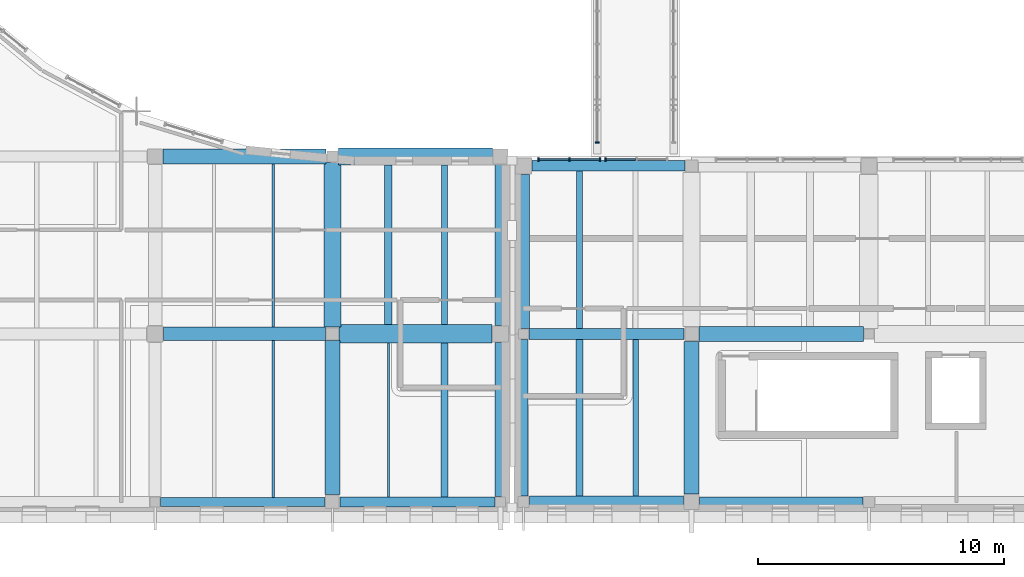
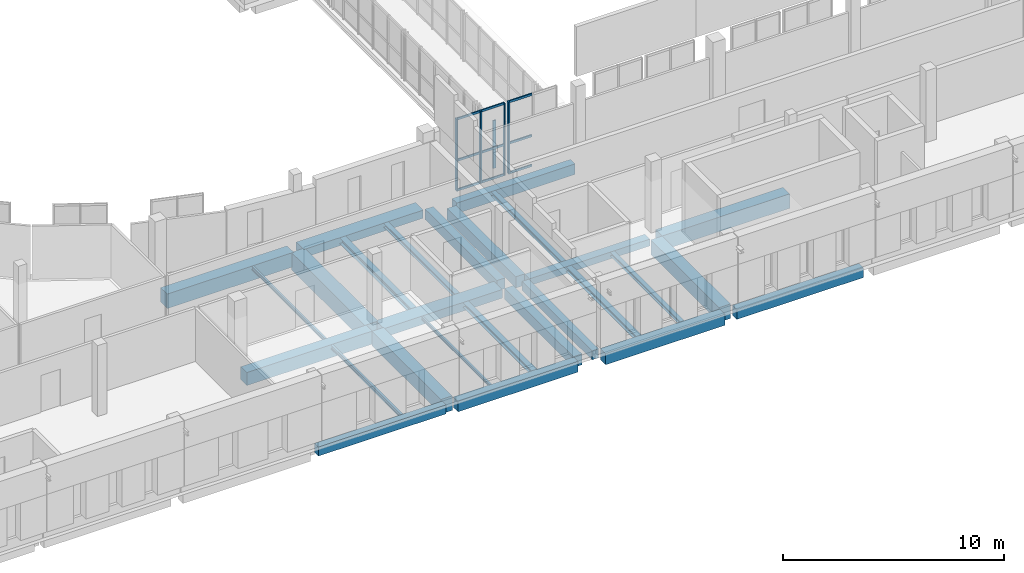
# One storey, part 10 of 76: 27 beams, 14 members, 3 elements without a shape of their own.
"""IFC4 building model written with IfcOpenShell, lengths in metres."""

from ifc_helpers import new_model, si_unit, direction, frame, origin, origin_2d, place, context, subcontext, project, spatial, rectangle, i_section, extrude, material, layer, layer_set, material_profile, profile_set, type_object, element, aggregate, save


model = new_model("IFC4")

# Units and contexts
model_context = context("Model", 3, precision=1e-05, world=origin(), true_north=direction((0.0, 1.0)))
body_context = subcontext(model_context, "Body", "Model", "MODEL_VIEW")
ifc_project = project(units=[si_unit("LENGTHUNIT", "METRE"), si_unit("AREAUNIT", "SQUARE_METRE"), si_unit("VOLUMEUNIT", "CUBIC_METRE"), si_unit("PLANEANGLEUNIT", "RADIAN"), si_unit("MASSUNIT", "GRAM", prefix="KILO")], contexts=[model_context])

# Site, building, storey
site_placement = place(None, origin())
site = spatial("IfcSite", under=ifc_project, at=site_placement, CompositionType="ELEMENT")
building_placement = place(site_placement, origin())
building = spatial("IfcBuilding", under=site, at=building_placement, Name="Vardoun Plaza Health Centre", CompositionType="ELEMENT")
storey_placement = place(building_placement, frame((0.0, 0.0, 4.5)))
storey = spatial("IfcBuildingStorey", under=building, at=storey_placement, Name="L01", CompositionType="ELEMENT", Elevation=4.5)

# Beams
ifc_material_1 = material(Name="Concrete C35/45", Category="concrete")
ifc_material_profile_1 = material_profile(ifc_material_1, rectangle(XDim=0.35009765625, YDim=0.5, at=origin_2d()), Name="RC-BM 350x500")
ifc_profile_set_1 = profile_set([ifc_material_profile_1], Name="Concrete C35/45")
beam_type_1 = type_object("IfcBeamType", Name="B-08", PredefinedType="SPANDREL", material=ifc_profile_set_1)
beam_1_placement = place(storey_placement, frame((33.525146484375, 4.8798828125, -0.530029296875), z_axis=(1.0, 0.0, 0.0), x_axis=(0.0, 1.0, 0.0)))
element("IfcBeam", 1, at=beam_1_placement, inside=storey, type_object=beam_type_1, Name="V2 L01 Beam B-V2-L01-X27", PredefinedType="SPANDREL", context=body_context, shape_type="SweptSolid", body=[
    extrude(rectangle(XDim=0.35009765625, YDim=0.5, at=origin_2d()), origin(), (0.0, 0.0, 1.0), 6.6748046875),
])
beam_2_placement = place(storey_placement, frame((48.260009765625, 5.1298828125, -0.56494140625), z_axis=(0.0, 1.0, 0.0), x_axis=(-1.0, 0.0, 0.0)))
element("IfcBeam", 2, at=beam_2_placement, inside=storey, type_object=beam_type_1, Name="V4 L01 Beam B-V4-L01-Y25", PredefinedType="SPANDREL", context=body_context, shape_type="SweptSolid", body=[
    extrude(rectangle(XDim=0.35009765625, YDim=0.5, at=origin_2d()), origin(), (0.0, 0.0, 1.0), 6.34521484375),
])
ifc_material_2 = material(Name="Concrete C35/45", Category="concrete")
ifc_material_profile_2 = material_profile(ifc_material_2, rectangle(XDim=0.39990234375, YDim=0.550048828125, at=origin_2d()), Name="RC-BM 400x550")
ifc_profile_set_2 = profile_set([ifc_material_profile_2], Name="Concrete C35/45")
beam_type_2 = type_object("IfcBeamType", Name="B-09", PredefinedType="SPANDREL", material=ifc_profile_set_2)
beam_3_placement = place(storey_placement, frame((55.405029296875, 4.8798828125, -0.590087890625), z_axis=(1.0, 0.0, 0.0), x_axis=(0.0, 1.0, 0.0)))
element("IfcBeam", 3, at=beam_3_placement, inside=storey, type_object=beam_type_2, Name="V4 L01 Beam B-V4-L01-X04", PredefinedType="SPANDREL", context=body_context, shape_type="SweptSolid", body=[
    extrude(rectangle(XDim=0.39990234375, YDim=0.550048828125, at=origin_2d()), origin(), (0.0, 0.0, 1.0), 6.625),
])
ifc_material_3 = material(Name="Concrete C35/45", Category="concrete")
ifc_material_profile_3 = material_profile(ifc_material_3, rectangle(XDim=0.419921875, YDim=0.580078125, at=origin_2d()), Name="RC-BM 420x580")
ifc_profile_set_3 = profile_set([ifc_material_profile_3], Name="Concrete C35/45")
beam_type_3 = type_object("IfcBeamType", Name="B-10", PredefinedType="SPANDREL", material=ifc_profile_set_3)
beam_4_placement = place(storey_placement, frame((40.800048828125, 4.8798828125, -0.570068359375), z_axis=(1.0, 0.0, 0.0), x_axis=(0.0, 1.0, 0.0)))
element("IfcBeam", 4, at=beam_4_placement, inside=storey, type_object=beam_type_3, Name="V2 L01 Beam B-V2-L01-X30", PredefinedType="SPANDREL", context=body_context, shape_type="SweptSolid", body=[
    extrude(rectangle(XDim=0.419921875, YDim=0.580078125, at=origin_2d()), origin(), (0.0, 0.0, 1.0), 6.294921875),
])
beam_5_placement = place(storey_placement, frame((47.320068359375, 12.050048828125, -0.570068359375), z_axis=(0.0, 1.0, 0.0), x_axis=(-1.0, 0.0, 0.0)))
element("IfcBeam", 5, at=beam_5_placement, inside=storey, type_object=beam_type_3, Name="V2 L01 Beam B-V2-L01-Y65", PredefinedType="SPANDREL", context=body_context, shape_type="SweptSolid", body=[
    extrude(rectangle(XDim=0.419921875, YDim=0.580078125, at=origin_2d()), origin(), (0.0, 0.0, 1.0), 6.52490234375),
])
beam_6_placement = place(storey_placement, frame((48.610107421875, 18.52001953125, -0.60498046875), z_axis=(1.0, 0.0, 0.0), x_axis=(0.0, 1.0, 0.0)))
element("IfcBeam", 6, at=beam_6_placement, inside=storey, type_object=beam_type_3, Name="V4 L01 Beam B-V4-L01-X03", PredefinedType="SPANDREL", context=body_context, shape_type="SweptSolid", body=[
    extrude(rectangle(XDim=0.419921875, YDim=0.580078125, at=origin_2d()), origin(), (0.0, 0.0, 1.0), 6.19482421875),
])
ifc_material_4 = material(Name="Concrete C35/45", Category="concrete")
ifc_material_profile_4 = material_profile(ifc_material_4, rectangle(XDim=0.449951171875, YDim=0.3798828125, at=origin_2d()), Name="RC-BM 450x380")
ifc_profile_set_4 = profile_set([ifc_material_profile_4], Name="Concrete C35/45")
beam_type_4 = type_object("IfcBeamType", Name="B-01", PredefinedType="BEAM", material=ifc_profile_set_4)
beam_7_placement = place(storey_placement, frame((48.485107421875, 11.699951171875, -0.5048828125), z_axis=(1.0, 0.0, 0.0), x_axis=(0.0, 1.0, 0.0)))
element("IfcBeam", 7, at=beam_7_placement, inside=storey, type_object=beam_type_4, Name="V4 L01 Beam B-V4-L01-X02", PredefinedType="BEAM", context=body_context, shape_type="SweptSolid", body=[
    extrude(rectangle(XDim=0.449951171875, YDim=0.3798828125, at=origin_2d()), origin(), (0.0, 0.0, 1.0), 6.294921875),
])
ifc_material_5 = material(Name="Concrete C35/45", Category="concrete")
ifc_material_profile_5 = material_profile(ifc_material_5, rectangle(XDim=0.449951171875, YDim=0.60009765625, at=origin_2d()), Name="RC-BM 450x600")
ifc_profile_set_5 = profile_set([ifc_material_profile_5], Name="Concrete C35/45")
beam_type_5 = type_object("IfcBeamType", Name="B-11", PredefinedType="SPANDREL", material=ifc_profile_set_5)
beam_8_placement = place(storey_placement, frame((47.320068359375, 5.10498046875, -0.580078125), z_axis=(0.0, 1.0, 0.0), x_axis=(-1.0, 0.0, 0.0)))
element("IfcBeam", 8, at=beam_8_placement, inside=storey, type_object=beam_type_5, Name="V2 L01 Beam B-V2-L01-Y64", PredefinedType="SPANDREL", context=body_context, shape_type="SweptSolid", body=[
    extrude(rectangle(XDim=0.449951171875, YDim=0.60009765625, at=origin_2d()), origin(), (0.0, 0.0, 1.0), 6.2451171875),
])
ifc_material_6 = material(Name="Concrete C35/45", Category="concrete")
ifc_material_profile_6 = material_profile(ifc_material_6, rectangle(XDim=0.47998046875, YDim=0.6201171875, at=origin_2d()), Name="RC-BM 480x620")
ifc_profile_set_6 = profile_set([ifc_material_profile_6], Name="Concrete C35/45")
beam_type_6 = type_object("IfcBeamType", Name="B-12", PredefinedType="SPANDREL", material=ifc_profile_set_6)
for number, where, z_axis, x_axis, name in (
    (9, (48.510009765625, 4.8798828125, -0.625), (1.0, 0.0, 0.0), (0.0, 1.0, 0.0), "V4 L01 Beam B-V4-L01-X01"),
    (10, (48.260009765625, 11.925048828125, -0.625), (0.0, 1.0, 0.0), (-1.0, 0.0, 0.0), "V4 L01 Beam B-V4-L01-Y26"),
):
    element("IfcBeam", number, at=place(storey_placement, frame(where, z_axis=z_axis, x_axis=x_axis)), inside=storey, type_object=beam_type_6, Name=name, PredefinedType="SPANDREL", context=body_context, shape_type="SweptSolid", body=[
        extrude(rectangle(XDim=0.47998046875, YDim=0.6201171875, at=origin_2d()), origin(), (0.0, 0.0, 1.0), 6.244873046875),
    ])
ifc_material_7 = material(Name="Concrete C40/50", Category="concrete")
ifc_material_profile_7 = material_profile(ifc_material_7, rectangle(XDim=0.550048828125, YDim=0.719970703125, at=origin_2d()), Name="RC-BM 550x720")
ifc_profile_set_7 = profile_set([ifc_material_profile_7], Name="Concrete C40/50")
beam_type_7 = type_object("IfcBeamType", Name="B-14", PredefinedType="BEAM", material=ifc_profile_set_7)
beam_9_placement = place(storey_placement, frame((33.650146484375, 11.699951171875, -0.639892578125), z_axis=(1.0, 0.0, 0.0), x_axis=(0.0, 1.0, 0.0)))
element("IfcBeam", 11, at=beam_9_placement, inside=storey, type_object=beam_type_7, Name="V2 L01 Beam B-V2-L01-X28", PredefinedType="BEAM", context=body_context, shape_type="SweptSolid", body=[
    extrude(rectangle(XDim=0.550048828125, YDim=0.719970703125, at=origin_2d()), origin(), (0.0, 0.0, 1.0), 6.574951171875),
])
ifc_material_8 = material(Name="Concrete C40/50", Category="concrete")
ifc_material_profile_8 = material_profile(ifc_material_8, rectangle(XDim=0.60009765625, YDim=0.800048828125, at=origin_2d()), Name="RC-BM 600x800")
ifc_profile_set_8 = profile_set([ifc_material_profile_8], Name="Concrete C40/50")
beam_type_8 = type_object("IfcBeamType", Name="B-15", PredefinedType="JOIST", material=ifc_profile_set_8)
beam_10_placement = place(storey_placement, frame((33.625, 18.89990234375, -0.679931640625), z_axis=(1.0, 0.0, 0.0), x_axis=(0.0, 1.0, 0.0)))
element("IfcBeam", 12, at=beam_10_placement, inside=storey, type_object=beam_type_8, Name="V2 L01 Beam B-V2-L01-X29", PredefinedType="JOIST", context=body_context, shape_type="SweptSolid", body=[
    extrude(rectangle(XDim=0.60009765625, YDim=0.800048828125, at=origin_2d()), origin(), (0.0, 0.0, 1.0), 6.625),
])
beam_11_placement = place(storey_placement, frame((40.5, 5.179931640625, -0.679931640625), z_axis=(0.0, 1.0, 0.0), x_axis=(-1.0, 0.0, 0.0)))
element("IfcBeam", 13, at=beam_11_placement, inside=storey, type_object=beam_type_8, Name="V2 L01 Beam B-V2-L01-Y62", PredefinedType="JOIST", context=body_context, shape_type="SweptSolid", body=[
    extrude(rectangle(XDim=0.60009765625, YDim=0.800048828125, at=origin_2d()), origin(), (0.0, 0.0, 1.0), 6.2451171875),
])
beam_12_placement = place(storey_placement, frame((55.3798828125, 11.699951171875, -0.715087890625), z_axis=(1.0, 0.0, 0.0), x_axis=(0.0, 1.0, 0.0)))
element("IfcBeam", 14, at=beam_12_placement, inside=storey, type_object=beam_type_8, Name="V4 L01 Beam B-V4-L01-X05", PredefinedType="JOIST", context=body_context, shape_type="SweptSolid", body=[
    extrude(rectangle(XDim=0.60009765625, YDim=0.800048828125, at=origin_2d()), origin(), (0.0, 0.0, 1.0), 6.675048828125),
])
beam_13_placement = place(storey_placement, frame((55.080078125, 5.205078125, -0.715087890625), z_axis=(0.0, 1.0, 0.0), x_axis=(-1.0, 0.0, 0.0)))
element("IfcBeam", 15, at=beam_13_placement, inside=storey, type_object=beam_type_8, Name="V4 L01 Beam B-V4-L01-Y27", PredefinedType="JOIST", context=body_context, shape_type="SweptSolid", body=[
    extrude(rectangle(XDim=0.60009765625, YDim=0.800048828125, at=origin_2d()), origin(), (0.0, 0.0, 1.0), 6.19482421875),
])
ifc_material_9 = material(Name="Concrete C35/45", Category="concrete")
ifc_material_profile_9 = material_profile(ifc_material_9, rectangle(XDim=0.699951171875, YDim=0.449951171875, at=origin_2d()), Name="RC-BM 700x450")
ifc_profile_set_9 = profile_set([ifc_material_profile_9], Name="Concrete C35/45")
beam_type_9 = type_object("IfcBeamType", Name="B-06", PredefinedType="BEAM", material=ifc_profile_set_9)
beam_14_placement = place(storey_placement, frame((40.75, 18.89990234375, -0.5048828125), z_axis=(1.0, 0.0, 0.0), x_axis=(0.0, 1.0, 0.0)))
element("IfcBeam", 16, at=beam_14_placement, inside=storey, type_object=beam_type_9, Name="V2 L01 Beam B-V2-L01-X32", PredefinedType="BEAM", context=body_context, shape_type="SweptSolid", body=[
    extrude(rectangle(XDim=0.699951171875, YDim=0.449951171875, at=origin_2d()), origin(), (0.0, 0.0, 1.0), 6.2451171875),
])
ifc_material_10 = material(Name="Concrete C40/50", Category="concrete")
ifc_material_profile_10 = material_profile(ifc_material_10, rectangle(XDim=0.699951171875, YDim=0.949951171875, at=origin_2d()), Name="RC-BM 700x950")
ifc_profile_set_10 = profile_set([ifc_material_profile_10], Name="Concrete C40/50")
beam_type_10 = type_object("IfcBeamType", Name="B-16", PredefinedType="LINTEL", material=ifc_profile_set_10)
beam_15_placement = place(storey_placement, frame((40.5, 11.97509765625, -0.7548828125), z_axis=(0.0, 1.0, 0.0), x_axis=(-1.0, 0.0, 0.0)))
element("IfcBeam", 17, at=beam_15_placement, inside=storey, type_object=beam_type_10, Name="V2 L01 Beam B-V2-L01-Y63", PredefinedType="LINTEL", context=body_context, shape_type="SweptSolid", body=[
    extrude(rectangle(XDim=0.699951171875, YDim=0.949951171875, at=origin_2d()), origin(), (0.0, 0.0, 1.0), 6.6748046875),
])
ifc_material_11 = material(Name="Concrete C35/45", Category="concrete")
ifc_material_profile_11 = material_profile(ifc_material_11, rectangle(XDim=0.75, YDim=0.47998046875, at=origin_2d()), Name="RC-BM 750x480")
ifc_profile_set_11 = profile_set([ifc_material_profile_11], Name="Concrete C35/45")
beam_type_11 = type_object("IfcBeamType", Name="B-07", PredefinedType="BEAM", material=ifc_profile_set_11)
beam_16_placement = place(storey_placement, frame((40.775146484375, 11.699951171875, -0.52001953125), z_axis=(1.0, 0.0, 0.0), x_axis=(0.0, 1.0, 0.0)))
element("IfcBeam", 18, at=beam_16_placement, inside=storey, type_object=beam_type_11, Name="V2 L01 Beam B-V2-L01-X31", PredefinedType="BEAM", context=body_context, shape_type="SweptSolid", body=[
    extrude(rectangle(XDim=0.75, YDim=0.47998046875, at=origin_2d()), origin(), (0.0, 0.0, 1.0), 6.19482421875),
])
ifc_material_12 = material(Name="Steel S355J2", Category="steel")
ifc_material_profile_12 = material_profile(ifc_material_12, i_section(OverallWidth=0.219970703125, OverallDepth=0.2099609375, WebThickness=0.007080078125, FlangeThickness=0.010986328125, FilletRadius=0.01806640625, at=origin_2d()), Name="HEA 220")
ifc_profile_set_12 = profile_set([ifc_material_profile_12], Name="Steel S355J2")
beam_type_12 = type_object("IfcBeamType", Name="SB-08", PredefinedType="BEAM", material=ifc_profile_set_12)
beam_17_placement = place(storey_placement, frame((52.806884765625, 5.1201171875, -0.419921875), z_axis=(0.0, 1.0, 0.0), x_axis=(-1.0, 0.0, 0.0)))
element("IfcBeam", 19, at=beam_17_placement, inside=storey, type_object=beam_type_12, Name="V4 L01 Secondary Floor Beam SJ-V4-L01-03", PredefinedType="BEAM", context=body_context, shape_type="SweptSolid", body=[
    extrude(i_section(OverallWidth=0.219970703125, OverallDepth=0.2099609375, WebThickness=0.007080078125, FlangeThickness=0.010986328125, FilletRadius=0.01806640625, at=origin_2d()), origin(), (0.0, 0.0, 1.0), 6.35498046875),
])
ifc_material_13 = material(Name="Steel S355J2", Category="steel")
ifc_material_profile_13 = material_profile(ifc_material_13, i_section(OverallWidth=0.239990234375, OverallDepth=0.22998046875, WebThickness=0.007568359375, FlangeThickness=0.011962890625, FilletRadius=0.02099609375, at=origin_2d()), Name="HEA 240")
ifc_profile_set_13 = profile_set([ifc_material_profile_13], Name="Steel S355J2")
beam_type_13 = type_object("IfcBeamType", Name="SB-07", PredefinedType="BEAM", material=ifc_profile_set_13)
beam_18_placement = place(storey_placement, frame((45.046875, 12.074951171875, -0.39501953125), z_axis=(0.0, 1.0, 0.0), x_axis=(-1.0, 0.0, 0.0)))
element("IfcBeam", 20, at=beam_18_placement, inside=storey, type_object=beam_type_13, Name="V2 L01 Secondary Floor Beam SJ-V2-L01-44", PredefinedType="BEAM", context=body_context, shape_type="SweptSolid", body=[
    extrude(i_section(OverallWidth=0.239990234375, OverallDepth=0.22998046875, WebThickness=0.007568359375, FlangeThickness=0.011962890625, FilletRadius=0.02099609375, at=origin_2d()), origin(), (0.0, 0.0, 1.0), 6.47509765625),
])
beam_19_placement = place(storey_placement, frame((50.533203125, 11.925048828125, -0.429931640625), z_axis=(0.0, 1.0, 0.0), x_axis=(-1.0, 0.0, 0.0)))
element("IfcBeam", 21, at=beam_19_placement, inside=storey, type_object=beam_type_13, Name="V4 L01 Secondary Floor Beam SJ-V4-L01-02", PredefinedType="BEAM", context=body_context, shape_type="SweptSolid", body=[
    extrude(i_section(OverallWidth=0.239990234375, OverallDepth=0.22998046875, WebThickness=0.007568359375, FlangeThickness=0.011962890625, FilletRadius=0.02099609375, at=origin_2d()), origin(), (0.0, 0.0, 1.0), 6.385009765625),
])
ifc_material_14 = material(Name="Steel S355J2", Category="steel")
ifc_material_profile_14 = material_profile(ifc_material_14, i_section(OverallWidth=0.280029296875, OverallDepth=0.27001953125, WebThickness=0.008056640625, FlangeThickness=0.012939453125, FilletRadius=0.02392578125, at=origin_2d()), Name="HEA 280")
ifc_profile_set_14 = profile_set([ifc_material_profile_14], Name="Steel S355J2")
beam_type_14 = type_object("IfcBeamType", Name="SB-06", PredefinedType="BEAM", material=ifc_profile_set_14)
beam_20_placement = place(storey_placement, frame((45.046875, 5.090087890625, -0.4150390625), z_axis=(0.0, 1.0, 0.0), x_axis=(-1.0, 0.0, 0.0)))
element("IfcBeam", 22, at=beam_20_placement, inside=storey, type_object=beam_type_14, Name="V2 L01 Secondary Floor Beam SJ-V2-L01-43", PredefinedType="BEAM", context=body_context, shape_type="SweptSolid", body=[
    extrude(i_section(OverallWidth=0.280029296875, OverallDepth=0.27001953125, WebThickness=0.008056640625, FlangeThickness=0.012939453125, FilletRadius=0.02392578125, at=origin_2d()), origin(), (0.0, 0.0, 1.0), 6.23486328125),
])
beam_21_placement = place(storey_placement, frame((50.533203125, 5.1201171875, -0.449951171875), z_axis=(0.0, 1.0, 0.0), x_axis=(-1.0, 0.0, 0.0)))
element("IfcBeam", 23, at=beam_21_placement, inside=storey, type_object=beam_type_14, Name="V4 L01 Secondary Floor Beam SJ-V4-L01-01", PredefinedType="BEAM", context=body_context, shape_type="SweptSolid", body=[
    extrude(i_section(OverallWidth=0.280029296875, OverallDepth=0.27001953125, WebThickness=0.008056640625, FlangeThickness=0.012939453125, FilletRadius=0.02392578125, at=origin_2d()), origin(), (0.0, 0.0, 1.0), 6.35498046875),
])
ifc_material_15 = material(Name="Steel S355J2", Category="steel")
ifc_material_profile_15 = material_profile(ifc_material_15, i_section(OverallWidth=0.300048828125, OverallDepth=0.330078125, WebThickness=0.009521484375, FlangeThickness=0.0166015625, FilletRadius=0.027099609375, at=origin_2d()), Name="HEA 340")
ifc_profile_set_15 = profile_set([ifc_material_profile_15], Name="Steel S355J2")
beam_type_15 = type_object("IfcBeamType", Name="SB-04", PredefinedType="BEAM", material=ifc_profile_set_15)
beam_22_placement = place(storey_placement, frame((42.773193359375, 12.074951171875, -0.445068359375), z_axis=(0.0, 1.0, 0.0), x_axis=(-1.0, 0.0, 0.0)))
element("IfcBeam", 24, at=beam_22_placement, inside=storey, type_object=beam_type_15, Name="V2 L01 Secondary Floor Beam SJ-V2-L01-42", PredefinedType="BEAM", context=body_context, shape_type="SweptSolid", body=[
    extrude(i_section(OverallWidth=0.300048828125, OverallDepth=0.330078125, WebThickness=0.009521484375, FlangeThickness=0.0166015625, FilletRadius=0.027099609375, at=origin_2d()), origin(), (0.0, 0.0, 1.0), 6.47509765625),
])
ifc_material_16 = material(Name="Steel S355J2", Category="steel")
ifc_material_profile_16 = material_profile(ifc_material_16, i_section(OverallWidth=0.091064453125, OverallDepth=0.179931640625, WebThickness=0.00537109375, FlangeThickness=0.008056640625, FilletRadius=0.009033203125, at=origin_2d()), Name="IPE 180")
ifc_profile_set_16 = profile_set([ifc_material_profile_16], Name="Steel S355J2")
beam_type_16 = type_object("IfcBeamType", Name="SB-20", PredefinedType="SPANDREL", material=ifc_profile_set_16)
beam_23_placement = place(storey_placement, frame((42.773193359375, 5.090087890625, -0.3701171875), z_axis=(0.0, 1.0, 0.0), x_axis=(-1.0, 0.0, 0.0)))
element("IfcBeam", 25, at=beam_23_placement, inside=storey, type_object=beam_type_16, Name="V2 L01 Secondary Floor Beam SJ-V2-L01-41", PredefinedType="SPANDREL", context=body_context, shape_type="SweptSolid", body=[
    extrude(i_section(OverallWidth=0.091064453125, OverallDepth=0.179931640625, WebThickness=0.00537109375, FlangeThickness=0.008056640625, FilletRadius=0.009033203125, at=origin_2d()), origin(), (0.0, 0.0, 1.0), 6.23486328125),
])
ifc_material_17 = material(Name="Steel S355J2", Category="steel")
ifc_material_profile_17 = material_profile(ifc_material_17, i_section(OverallWidth=0.10009765625, OverallDepth=0.199951171875, WebThickness=0.005615234375, FlangeThickness=0.008544921875, FilletRadius=0.011962890625, at=origin_2d()), Name="IPE 200")
ifc_profile_set_17 = profile_set([ifc_material_profile_17], Name="Steel S355J2")
beam_type_17 = type_object("IfcBeamType", Name="SB-19", PredefinedType="SPANDREL", material=ifc_profile_set_17)
beam_24_placement = place(storey_placement, frame((38.10009765625, 11.97509765625, -0.3798828125), z_axis=(0.0, 1.0, 0.0), x_axis=(-1.0, 0.0, 0.0)))
element("IfcBeam", 26, at=beam_24_placement, inside=storey, type_object=beam_type_17, Name="V2 L01 Secondary Floor Beam SJ-V2-L01-40", PredefinedType="SPANDREL", context=body_context, shape_type="SweptSolid", body=[
    extrude(i_section(OverallWidth=0.10009765625, OverallDepth=0.199951171875, WebThickness=0.005615234375, FlangeThickness=0.008544921875, FilletRadius=0.011962890625, at=origin_2d()), origin(), (0.0, 0.0, 1.0), 6.625),
])
ifc_material_18 = material(Name="Steel S355J2", Category="steel")
ifc_material_profile_18 = material_profile(ifc_material_18, i_section(OverallWidth=0.110107421875, OverallDepth=0.219970703125, WebThickness=0.005859375, FlangeThickness=0.00927734375, FilletRadius=0.011962890625, at=origin_2d()), Name="IPE 220")
ifc_profile_set_18 = profile_set([ifc_material_profile_18], Name="Steel S355J2")
beam_type_18 = type_object("IfcBeamType", Name="SB-18", PredefinedType="JOIST", material=ifc_profile_set_18)
beam_25_placement = place(storey_placement, frame((38.10009765625, 5.054931640625, -0.389892578125), z_axis=(0.0, 1.0, 0.0), x_axis=(-1.0, 0.0, 0.0)))
element("IfcBeam", 27, at=beam_25_placement, inside=storey, type_object=beam_type_18, Name="V2 L01 Secondary Floor Beam SJ-V2-L01-39", PredefinedType="JOIST", context=body_context, shape_type="SweptSolid", body=[
    extrude(i_section(OverallWidth=0.110107421875, OverallDepth=0.219970703125, WebThickness=0.005859375, FlangeThickness=0.00927734375, FilletRadius=0.011962890625, at=origin_2d()), origin(), (0.0, 0.0, 1.0), 6.3701171875),
])

# Curtain wall, members
ifc_material_19 = material(Name="Aluminium Alloy EN AW-6063-T6 and Low-E Glass", Category="aluminium")
ifc_layer = layer(ifc_material_19, 0.14990234375)
ifc_layer_set = layer_set([ifc_layer], Name="Aluminium Alloy EN AW-6063-T6 and Low-E Glass")
curtain_wall_type = type_object("IfcCurtainWallType", Name="CW-03", PredefinedType="NOTDEFINED", material=ifc_layer_set)
curtain_wall_1_placement = place(storey_placement, origin())
curtain_wall_1 = element("IfcCurtainWall", 28, at=curtain_wall_1_placement, inside=storey, type_object=curtain_wall_type, Name="Curtain Wall CW-V4-117", PredefinedType="NOTDEFINED")
ifc_material_20 = material(Name="Aluminium Alloy EN AW-6063-T6", Category="aluminium")
ifc_material_profile_19 = material_profile(ifc_material_20, rectangle(XDim=0.159912109375, YDim=0.06005859375, at=origin_2d()), Name="CWM 60x160")
ifc_profile_set_19 = profile_set([ifc_material_profile_19], Name="Aluminium Alloy EN AW-6063-T6")
member_type_1 = type_object("IfcMemberType", Name="CW-M1", PredefinedType="MULLION", material=ifc_profile_set_19)
member_1_placement = place(storey_placement, frame((48.8701171875, 18.780029296875, 0.0), z_axis=(0.0, 0.0, 1.0), x_axis=(0.0, 1.0, 0.0)))
member_1 = element("IfcMember", 29, at=member_1_placement, type_object=member_type_1, Name="CW-V4-117 mullion 1", PredefinedType="MULLION", context=body_context, shape_type="SweptSolid", body=[
    extrude(rectangle(XDim=0.159912109375, YDim=0.06005859375, at=origin_2d()), origin(), (0.0, 0.0, 1.0), 3.9951171875),
])
member_2_placement = place(storey_placement, frame((50.1201171875, 18.780029296875, 0.0), z_axis=(0.0, 0.0, 1.0), x_axis=(0.0, 1.0, 0.0)))
member_2 = element("IfcMember", 30, at=member_2_placement, type_object=member_type_1, Name="CW-V4-117 mullion 2", PredefinedType="MULLION", context=body_context, shape_type="SweptSolid", body=[
    extrude(rectangle(XDim=0.159912109375, YDim=0.06005859375, at=origin_2d()), origin(), (0.0, 0.0, 1.0), 3.9951171875),
])
member_3_placement = place(storey_placement, frame((51.3701171875, 18.780029296875, 0.0), z_axis=(0.0, 0.0, 1.0), x_axis=(0.0, 1.0, 0.0)))
member_3 = element("IfcMember", 31, at=member_3_placement, type_object=member_type_1, Name="CW-V4-117 mullion 3", PredefinedType="MULLION", context=body_context, shape_type="SweptSolid", body=[
    extrude(rectangle(XDim=0.159912109375, YDim=0.06005859375, at=origin_2d()), origin(), (0.0, 0.0, 1.0), 3.9951171875),
])

# Curtain wall, member
curtain_wall_2_placement = place(storey_placement, origin())
curtain_wall_2 = element("IfcCurtainWall", 32, at=curtain_wall_2_placement, inside=storey, type_object=curtain_wall_type, Name="Curtain Wall CW-V4-118", PredefinedType="NOTDEFINED")
member_4_placement = place(storey_placement, frame((51.590087890625, 18.780029296875, 0.0), z_axis=(0.0, 0.0, 1.0), x_axis=(0.0, 1.0, 0.0)))
member_4 = element("IfcMember", 33, at=member_4_placement, type_object=member_type_1, Name="CW-V4-118 mullion 1", PredefinedType="MULLION", context=body_context, shape_type="SweptSolid", body=[
    extrude(rectangle(XDim=0.159912109375, YDim=0.06005859375, at=origin_2d()), origin(), (0.0, 0.0, 1.0), 3.9951171875),
])

curtain_wall_3_placement = place(storey_placement, origin())
curtain_wall_3 = element("IfcCurtainWall", 34, at=curtain_wall_3_placement, inside=storey, type_object=curtain_wall_type, Name="Curtain Wall CW-BR-6WS", PredefinedType="NOTDEFINED")
member_5_placement = place(storey_placement, frame((51.25, 19.47998046875, 0.0), z_axis=(0.0, 0.0, 1.0), x_axis=(-1.0, 0.0, 0.0)))
member_5 = element("IfcMember", 35, at=member_5_placement, type_object=member_type_1, Name="CW-BR-6WS mullion 1", PredefinedType="MULLION", context=body_context, shape_type="SweptSolid", body=[
    extrude(rectangle(XDim=0.159912109375, YDim=0.06005859375, at=origin_2d()), origin(), (0.0, 0.0, 1.0), 2.64990234375),
])
aggregate(curtain_wall_3, [member_5])

# Member
ifc_material_21 = material(Name="Aluminium Alloy EN AW-6063-T6", Category="aluminium")
ifc_material_profile_20 = material_profile(ifc_material_21, rectangle(XDim=0.06005859375, YDim=0.1201171875, at=origin_2d()), Name="CWT 60x120")
ifc_profile_set_20 = profile_set([ifc_material_profile_20], Name="Aluminium Alloy EN AW-6063-T6")
member_type_2 = type_object("IfcMemberType", Name="CW-T1", PredefinedType="USERDEFINED", material=ifc_profile_set_20)
member_6_placement = place(storey_placement, frame((48.900146484375, 18.780029296875, 0.030029296875), z_axis=(1.0, 0.0, 0.0), x_axis=(0.0, 1.0, 0.0)))
member_6 = element("IfcMember", 36, at=member_6_placement, type_object=member_type_2, Name="CW-V4-117 transom 1.1", ObjectType="TRANSOM", PredefinedType="USERDEFINED", context=body_context, shape_type="SweptSolid", body=[
    extrude(rectangle(XDim=0.06005859375, YDim=0.1201171875, at=origin_2d()), origin(), (0.0, 0.0, 1.0), 1.18994140625),
])

member_7_placement = place(storey_placement, frame((48.900146484375, 18.780029296875, 1.677978515625), z_axis=(1.0, 0.0, 0.0), x_axis=(0.0, 1.0, 0.0)))
member_7 = element("IfcMember", 37, at=member_7_placement, type_object=member_type_2, Name="CW-V4-117 transom 1.2", ObjectType="TRANSOM", PredefinedType="USERDEFINED", context=body_context, shape_type="SweptSolid", body=[
    extrude(rectangle(XDim=0.06005859375, YDim=0.1201171875, at=origin_2d()), origin(), (0.0, 0.0, 1.0), 1.18994140625),
])

member_8_placement = place(storey_placement, frame((48.900146484375, 18.780029296875, 3.965087890625), z_axis=(1.0, 0.0, 0.0), x_axis=(0.0, 1.0, 0.0)))
member_8 = element("IfcMember", 38, at=member_8_placement, type_object=member_type_2, Name="CW-V4-117 transom 1.3", ObjectType="TRANSOM", PredefinedType="USERDEFINED", context=body_context, shape_type="SweptSolid", body=[
    extrude(rectangle(XDim=0.06005859375, YDim=0.1201171875, at=origin_2d()), origin(), (0.0, 0.0, 1.0), 1.18994140625),
])

member_9_placement = place(storey_placement, frame((50.150146484375, 18.780029296875, 0.030029296875), z_axis=(1.0, 0.0, 0.0), x_axis=(0.0, 1.0, 0.0)))
member_9 = element("IfcMember", 39, at=member_9_placement, type_object=member_type_2, Name="CW-V4-117 transom 2.1", ObjectType="TRANSOM", PredefinedType="USERDEFINED", context=body_context, shape_type="SweptSolid", body=[
    extrude(rectangle(XDim=0.06005859375, YDim=0.1201171875, at=origin_2d()), origin(), (0.0, 0.0, 1.0), 1.18994140625),
])

member_10_placement = place(storey_placement, frame((50.150146484375, 18.780029296875, 1.677978515625), z_axis=(1.0, 0.0, 0.0), x_axis=(0.0, 1.0, 0.0)))
member_10 = element("IfcMember", 40, at=member_10_placement, type_object=member_type_2, Name="CW-V4-117 transom 2.2", ObjectType="TRANSOM", PredefinedType="USERDEFINED", context=body_context, shape_type="SweptSolid", body=[
    extrude(rectangle(XDim=0.06005859375, YDim=0.1201171875, at=origin_2d()), origin(), (0.0, 0.0, 1.0), 1.18994140625),
])

member_11_placement = place(storey_placement, frame((50.150146484375, 18.780029296875, 3.965087890625), z_axis=(1.0, 0.0, 0.0), x_axis=(0.0, 1.0, 0.0)))
member_11 = element("IfcMember", 41, at=member_11_placement, type_object=member_type_2, Name="CW-V4-117 transom 2.3", ObjectType="TRANSOM", PredefinedType="USERDEFINED", context=body_context, shape_type="SweptSolid", body=[
    extrude(rectangle(XDim=0.06005859375, YDim=0.1201171875, at=origin_2d()), origin(), (0.0, 0.0, 1.0), 1.18994140625),
])

aggregate(curtain_wall_1, [member_1, member_2, member_3, member_6, member_7, member_8, member_9, member_10, member_11])

member_12_placement = place(storey_placement, frame((51.6201171875, 18.780029296875, 0.030029296875), z_axis=(1.0, 0.0, 0.0), x_axis=(0.0, 1.0, 0.0)))
member_12 = element("IfcMember", 42, at=member_12_placement, type_object=member_type_2, Name="CW-V4-118 transom 1.1", ObjectType="TRANSOM", PredefinedType="USERDEFINED", context=body_context, shape_type="SweptSolid", body=[
    extrude(rectangle(XDim=0.06005859375, YDim=0.1201171875, at=origin_2d()), origin(), (0.0, 0.0, 1.0), 1.18994140625),
])

member_13_placement = place(storey_placement, frame((51.6201171875, 18.780029296875, 1.677978515625), z_axis=(1.0, 0.0, 0.0), x_axis=(0.0, 1.0, 0.0)))
member_13 = element("IfcMember", 43, at=member_13_placement, type_object=member_type_2, Name="CW-V4-118 transom 1.2", ObjectType="TRANSOM", PredefinedType="USERDEFINED", context=body_context, shape_type="SweptSolid", body=[
    extrude(rectangle(XDim=0.06005859375, YDim=0.1201171875, at=origin_2d()), origin(), (0.0, 0.0, 1.0), 1.18994140625),
])

member_14_placement = place(storey_placement, frame((51.6201171875, 18.780029296875, 3.965087890625), z_axis=(1.0, 0.0, 0.0), x_axis=(0.0, 1.0, 0.0)))
member_14 = element("IfcMember", 44, at=member_14_placement, type_object=member_type_2, Name="CW-V4-118 transom 1.3", ObjectType="TRANSOM", PredefinedType="USERDEFINED", context=body_context, shape_type="SweptSolid", body=[
    extrude(rectangle(XDim=0.06005859375, YDim=0.1201171875, at=origin_2d()), origin(), (0.0, 0.0, 1.0), 1.18994140625),
])

aggregate(curtain_wall_2, [member_4, member_12, member_13, member_14])

save(model, "model.ifc")
